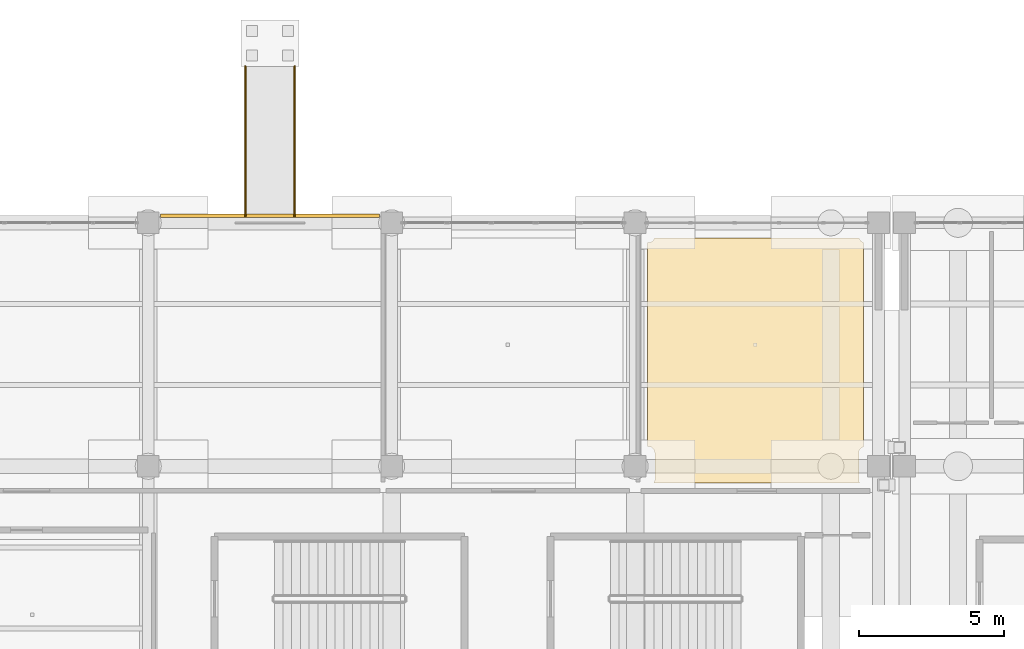
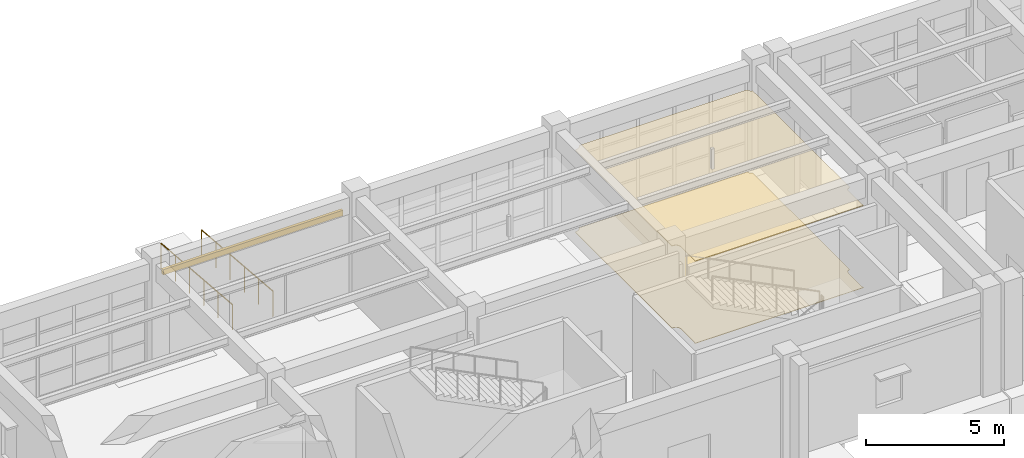
# One storey, part 25 of 29: 3 coverings, 2 railings.
"""IFC4 building model written with IfcOpenShell, lengths in metres."""

from ifc_helpers import new_model, si_unit, direction, frame, origin, origin_2d, place, context, subcontext, project, spatial, polyline, rectangle, circle, outline, extrude, material, layer, layer_set, type_object, element, save


model = new_model("IFC4")

# Units and contexts
model_context = context("Model", 3, precision=1e-05, world=origin(), true_north=direction((0.0, 1.0)))
body_context = subcontext(model_context, "Body", "Model", "MODEL_VIEW")
ifc_project = project(units=[si_unit("LENGTHUNIT", "METRE"), si_unit("AREAUNIT", "SQUARE_METRE"), si_unit("VOLUMEUNIT", "CUBIC_METRE"), si_unit("PLANEANGLEUNIT", "RADIAN"), si_unit("MASSUNIT", "GRAM", prefix="KILO")], contexts=[model_context])

# Site, building, storey
site_placement = place(None, origin())
site = spatial("IfcSite", under=ifc_project, at=site_placement, CompositionType="ELEMENT")
building_placement = place(site_placement, origin())
building = spatial("IfcBuilding", under=site, at=building_placement, Name="Canglan Escarpment Cableway Terminal", CompositionType="ELEMENT")
storey_placement = place(building_placement, origin())
storey = spatial("IfcBuildingStorey", under=building, at=storey_placement, Name="L00", CompositionType="ELEMENT", Elevation=0.0)

# Coverings
ifc_material_1 = material(Name="Moisture-resistant acoustic gypsum ceiling", Category="gypsum")
ifc_layer_1 = layer(ifc_material_1, 0.030029296875, Name="Moisture-resistant acoustic gypsum ceiling")
ifc_layer_set_1 = layer_set([ifc_layer_1], Name="Moisture-resistant acoustic gypsum ceiling")
covering_type_1 = type_object("IfcCoveringType", Name="COV-CEIL-GYPSUM-30", PredefinedType="CEILING", material=ifc_layer_set_1)
covering_1_placement = place(storey_placement, frame((0.0, 0.0, 3.639892578125)))
element("IfcCovering", 1, at=covering_1_placement, inside=storey, type_object=covering_type_1, Name="Mountain Rescue Clinic suspended acoustic ceiling", PredefinedType="CEILING", context=body_context, shape_type="SweptSolid", body=[
    extrude(outline(polyline([(33.8779296875, 15.820068359375), (33.8759765625, 15.820068359375), (33.873779296875, 15.8203125), (33.8720703125, 15.82080078125), (33.8701171875, 15.821533203125), (33.868408203125, 15.822509765625), (33.866455078125, 15.823486328125), (33.864990234375, 15.82470703125), (33.863525390625, 15.826171875), (33.8623046875, 15.82763671875), (33.861083984375, 15.829345703125), (33.860107421875, 15.8310546875), (33.859130859375, 15.8330078125), (33.858642578125, 15.834716796875), (33.858154296875, 15.8369140625), (33.85791015625, 15.8388671875), (33.85791015625, 15.8408203125), (33.858154296875, 15.8427734375), (33.8583984375, 15.8447265625), (33.859130859375, 15.8466796875), (33.85986328125, 15.8486328125), (33.863037109375, 15.85546875), (33.86328125, 15.856201171875), (33.870361328125, 15.875732421875), (33.87060546875, 15.876708984375), (33.875732421875, 15.896484375), (33.875732421875, 15.897705078125), (33.87890625, 15.91796875), (33.87890625, 15.9189453125), (33.8798828125, 15.939697265625), (33.8798828125, 15.940185546875), (33.8798828125, 16.85986328125), (33.8798828125, 16.860107421875), (33.87890625, 16.881103515625), (33.87890625, 16.882080078125), (33.875732421875, 16.90234375), (33.875732421875, 16.9033203125), (33.87060546875, 16.92333984375), (33.870361328125, 16.92431640625), (33.86328125, 16.943603515625), (33.863037109375, 16.944580078125), (33.854248046875, 16.96337890625), (33.853759765625, 16.964111328125), (33.84326171875, 16.981689453125), (33.842529296875, 16.982666015625), (33.830322265625, 16.999267578125), (33.82958984375, 17.0), (33.81591796875, 17.01513671875), (33.815185546875, 17.015869140625), (33.7998046875, 17.02978515625), (33.79931640625, 17.030517578125), (33.78271484375, 17.04248046875), (33.78173828125, 17.043212890625), (33.76416015625, 17.0537109375), (33.76318359375, 17.05419921875), (33.74462890625, 17.06298828125), (33.74365234375, 17.0634765625), (33.724365234375, 17.0703125), (33.723388671875, 17.070556640625), (33.703369140625, 17.07568359375), (33.702392578125, 17.07568359375), (33.681884765625, 17.078857421875), (33.68115234375, 17.0791015625), (33.66015625, 17.080078125), (33.659912109375, 17.080078125), (33.639892578125, 17.080078125), (33.637939453125, 17.080078125), (33.635986328125, 17.080322265625), (33.63427734375, 17.080810546875), (33.63232421875, 17.08154296875), (33.630615234375, 17.08251953125), (33.62890625, 17.08349609375), (33.627197265625, 17.08447265625), (33.6259765625, 17.0859375), (33.62451171875, 17.08740234375), (33.623291015625, 17.0888671875), (33.622314453125, 17.090576171875), (33.62158203125, 17.09228515625), (33.620849609375, 17.09423828125), (33.620361328125, 17.09619140625), (33.6201171875, 17.097900390625), (33.6201171875, 17.10009765625), (33.6201171875, 24.10009765625), (33.6201171875, 24.10205078125), (33.620361328125, 24.10400390625), (33.620849609375, 24.105712890625), (33.62158203125, 24.107666015625), (33.622314453125, 24.109375), (33.623291015625, 24.111083984375), (33.62451171875, 24.11279296875), (33.6259765625, 24.114013671875), (33.627197265625, 24.115478515625), (33.62890625, 24.11669921875), (33.630615234375, 24.11767578125), (33.63232421875, 24.118408203125), (33.63427734375, 24.119140625), (33.635986328125, 24.11962890625), (33.637939453125, 24.119873046875), (33.639892578125, 24.1201171875), (33.659912109375, 24.1201171875), (33.66015625, 24.1201171875), (33.68115234375, 24.12109375), (33.681884765625, 24.12109375), (33.702392578125, 24.124267578125), (33.703369140625, 24.124267578125), (33.723388671875, 24.12939453125), (33.724365234375, 24.129638671875), (33.74365234375, 24.13671875), (33.74462890625, 24.136962890625), (33.76318359375, 24.145751953125), (33.76416015625, 24.146240234375), (33.78173828125, 24.15673828125), (33.78271484375, 24.157470703125), (33.79931640625, 24.169677734375), (33.7998046875, 24.17041015625), (33.815185546875, 24.18408203125), (33.81591796875, 24.184814453125), (33.82958984375, 24.2001953125), (33.830322265625, 24.20068359375), (33.842529296875, 24.21728515625), (33.84326171875, 24.21826171875), (33.853759765625, 24.23583984375), (33.854248046875, 24.23681640625), (33.863037109375, 24.25537109375), (33.86328125, 24.25634765625), (33.8671875, 24.2666015625), (33.867919921875, 24.2685546875), (33.868896484375, 24.2705078125), (33.8701171875, 24.272216796875), (33.871337890625, 24.273681640625), (33.872802734375, 24.275146484375), (33.87451171875, 24.2763671875), (33.876220703125, 24.27734375), (33.8779296875, 24.2783203125), (33.8798828125, 24.279052734375), (33.8818359375, 24.279541015625), (33.884033203125, 24.27978515625), (33.885986328125, 24.280029296875), (40.9140625, 24.280029296875), (40.916015625, 24.27978515625), (40.918212890625, 24.279541015625), (40.919921875, 24.279052734375), (40.922119140625, 24.2783203125), (40.923828125, 24.27734375), (40.925537109375, 24.2763671875), (40.927001953125, 24.275146484375), (40.9287109375, 24.273681640625), (40.929931640625, 24.272216796875), (40.93115234375, 24.2705078125), (40.93212890625, 24.2685546875), (40.932861328125, 24.2666015625), (40.9365234375, 24.25634765625), (40.93701171875, 24.25537109375), (40.94580078125, 24.23681640625), (40.9462890625, 24.23583984375), (40.956787109375, 24.21826171875), (40.95751953125, 24.21728515625), (40.969482421875, 24.20068359375), (40.97021484375, 24.2001953125), (40.984130859375, 24.184814453125), (40.98486328125, 24.18408203125), (41.0, 24.17041015625), (41.000732421875, 24.169677734375), (41.017333984375, 24.157470703125), (41.018310546875, 24.15673828125), (41.035888671875, 24.146240234375), (41.03662109375, 24.145751953125), (41.055419921875, 24.136962890625), (41.056396484375, 24.13671875), (41.066650390625, 24.1328125), (41.068603515625, 24.132080078125), (41.0703125, 24.131103515625), (41.07177734375, 24.130126953125), (41.0732421875, 24.12890625), (41.07470703125, 24.127685546875), (41.07568359375, 24.126220703125), (41.076904296875, 24.124755859375), (41.077880859375, 24.123046875), (41.07861328125, 24.121337890625), (41.0791015625, 24.11962890625), (41.07958984375, 24.117919921875), (41.079833984375, 24.115966796875), (41.080078125, 24.114013671875), (41.080078125, 17.0859375), (41.079833984375, 17.083984375), (41.07958984375, 17.082275390625), (41.0791015625, 17.080322265625), (41.07861328125, 17.07861328125), (41.077880859375, 17.076904296875), (41.076904296875, 17.0751953125), (41.07568359375, 17.07373046875), (41.07470703125, 17.072265625), (41.0732421875, 17.071044921875), (41.07177734375, 17.06982421875), (41.0703125, 17.06884765625), (41.068603515625, 17.06787109375), (41.066650390625, 17.067138671875), (41.056396484375, 17.0634765625), (41.055419921875, 17.06298828125), (41.03662109375, 17.05419921875), (41.035888671875, 17.0537109375), (41.018310546875, 17.043212890625), (41.017333984375, 17.04248046875), (41.000732421875, 17.030517578125), (41.0, 17.02978515625), (40.98486328125, 17.015869140625), (40.984130859375, 17.01513671875), (40.97021484375, 17.0), (40.969482421875, 16.999267578125), (40.95751953125, 16.982666015625), (40.956787109375, 16.981689453125), (40.9462890625, 16.964111328125), (40.94580078125, 16.96337890625), (40.93701171875, 16.944580078125), (40.9365234375, 16.943603515625), (40.9296875, 16.92431640625), (40.929443359375, 16.92333984375), (40.92431640625, 16.9033203125), (40.92431640625, 16.90234375), (40.921142578125, 16.882080078125), (40.9208984375, 16.881103515625), (40.919921875, 16.860107421875), (40.919921875, 16.85986328125), (40.919921875, 15.940185546875), (40.919921875, 15.939697265625), (40.9208984375, 15.9189453125), (40.921142578125, 15.91796875), (40.92431640625, 15.897705078125), (40.92431640625, 15.896484375), (40.929443359375, 15.876708984375), (40.9296875, 15.875732421875), (40.9365234375, 15.856201171875), (40.93701171875, 15.85546875), (40.940185546875, 15.8486328125), (40.94091796875, 15.8466796875), (40.94140625, 15.8447265625), (40.94189453125, 15.8427734375), (40.942138671875, 15.8408203125), (40.942138671875, 15.8388671875), (40.94189453125, 15.8369140625), (40.94140625, 15.834716796875), (40.94091796875, 15.8330078125), (40.93994140625, 15.8310546875), (40.93896484375, 15.829345703125), (40.937744140625, 15.82763671875), (40.9365234375, 15.826171875), (40.93505859375, 15.82470703125), (40.93359375, 15.823486328125), (40.931640625, 15.822509765625), (40.929931640625, 15.821533203125), (40.927978515625, 15.82080078125), (40.926025390625, 15.8203125), (40.924072265625, 15.820068359375), (40.922119140625, 15.820068359375), (33.8779296875, 15.820068359375)])), origin(), (0.0, 0.0, 1.0), 0.030029296875),
])
ifc_material_2 = material(Name="Carved classical limestone cornice", Category="masonry")
ifc_layer_2 = layer(ifc_material_2, 0.1201171875, Name="Carved classical limestone cornice")
ifc_layer_set_2 = layer_set([ifc_layer_2], Name="Carved classical limestone cornice")
covering_type_2 = type_object("IfcCoveringType", Name="COV-CORNICE-STONE", PredefinedType="CLADDING", material=ifc_layer_set_2)
covering_2_placement = place(storey_placement, frame((20.60009765625, 25.0400390625, 3.455078125), z_axis=(0.0, 0.0, 1.0), x_axis=(-1.0, 0.0, 0.0)))
element("IfcCovering", 2, at=covering_2_placement, inside=storey, type_object=covering_type_2, Name="Classical carved limestone cornice CL-01", PredefinedType="CLADDING", context=body_context, shape_type="SweptSolid", body=[
    extrude(rectangle(XDim=7.550048828125, YDim=0.1201171875, at=origin_2d()), origin(), (0.0, 0.0, 1.0), 0.239990234375),
])
ifc_material_3 = material(Name="Polished mineral terrazzo flooring", Category="concrete")
ifc_layer_3 = layer(ifc_material_3, 0.02001953125, Name="Polished mineral terrazzo flooring")
ifc_layer_set_3 = layer_set([ifc_layer_3], Name="Polished mineral terrazzo flooring")
covering_type_3 = type_object("IfcCoveringType", Name="COV-FLR-TERRAZZO-20", PredefinedType="FLOORING", material=ifc_layer_set_3)
covering_3_placement = place(storey_placement, origin())
element("IfcCovering", 3, at=covering_3_placement, inside=storey, type_object=covering_type_3, Name="Mountain Rescue Clinic stone floor finish", PredefinedType="FLOORING", context=body_context, shape_type="SweptSolid", body=[
    extrude(outline(polyline([(33.8779296875, 15.820068359375), (33.8759765625, 15.820068359375), (33.873779296875, 15.8203125), (33.8720703125, 15.82080078125), (33.8701171875, 15.821533203125), (33.868408203125, 15.822509765625), (33.866455078125, 15.823486328125), (33.864990234375, 15.82470703125), (33.863525390625, 15.826171875), (33.8623046875, 15.82763671875), (33.861083984375, 15.829345703125), (33.860107421875, 15.8310546875), (33.859130859375, 15.8330078125), (33.858642578125, 15.834716796875), (33.858154296875, 15.8369140625), (33.85791015625, 15.8388671875), (33.85791015625, 15.8408203125), (33.858154296875, 15.8427734375), (33.8583984375, 15.8447265625), (33.859130859375, 15.8466796875), (33.85986328125, 15.8486328125), (33.863037109375, 15.85546875), (33.86328125, 15.856201171875), (33.870361328125, 15.875732421875), (33.87060546875, 15.876708984375), (33.875732421875, 15.896484375), (33.875732421875, 15.897705078125), (33.87890625, 15.91796875), (33.87890625, 15.9189453125), (33.8798828125, 15.939697265625), (33.8798828125, 15.940185546875), (33.8798828125, 16.85986328125), (33.8798828125, 16.860107421875), (33.87890625, 16.881103515625), (33.87890625, 16.882080078125), (33.875732421875, 16.90234375), (33.875732421875, 16.9033203125), (33.87060546875, 16.92333984375), (33.870361328125, 16.92431640625), (33.86328125, 16.943603515625), (33.863037109375, 16.944580078125), (33.854248046875, 16.96337890625), (33.853759765625, 16.964111328125), (33.84326171875, 16.981689453125), (33.842529296875, 16.982666015625), (33.830322265625, 16.999267578125), (33.82958984375, 17.0), (33.81591796875, 17.01513671875), (33.815185546875, 17.015869140625), (33.7998046875, 17.02978515625), (33.79931640625, 17.030517578125), (33.78271484375, 17.04248046875), (33.78173828125, 17.043212890625), (33.76416015625, 17.0537109375), (33.76318359375, 17.05419921875), (33.74462890625, 17.06298828125), (33.74365234375, 17.0634765625), (33.724365234375, 17.0703125), (33.723388671875, 17.070556640625), (33.703369140625, 17.07568359375), (33.702392578125, 17.07568359375), (33.681884765625, 17.078857421875), (33.68115234375, 17.0791015625), (33.66015625, 17.080078125), (33.659912109375, 17.080078125), (33.639892578125, 17.080078125), (33.637939453125, 17.080078125), (33.635986328125, 17.080322265625), (33.63427734375, 17.080810546875), (33.63232421875, 17.08154296875), (33.630615234375, 17.08251953125), (33.62890625, 17.08349609375), (33.627197265625, 17.08447265625), (33.6259765625, 17.0859375), (33.62451171875, 17.08740234375), (33.623291015625, 17.0888671875), (33.622314453125, 17.090576171875), (33.62158203125, 17.09228515625), (33.620849609375, 17.09423828125), (33.620361328125, 17.09619140625), (33.6201171875, 17.097900390625), (33.6201171875, 17.10009765625), (33.6201171875, 24.10009765625), (33.6201171875, 24.10205078125), (33.620361328125, 24.10400390625), (33.620849609375, 24.105712890625), (33.62158203125, 24.107666015625), (33.622314453125, 24.109375), (33.623291015625, 24.111083984375), (33.62451171875, 24.11279296875), (33.6259765625, 24.114013671875), (33.627197265625, 24.115478515625), (33.62890625, 24.11669921875), (33.630615234375, 24.11767578125), (33.63232421875, 24.118408203125), (33.63427734375, 24.119140625), (33.635986328125, 24.11962890625), (33.637939453125, 24.119873046875), (33.639892578125, 24.1201171875), (33.659912109375, 24.1201171875), (33.66015625, 24.1201171875), (33.68115234375, 24.12109375), (33.681884765625, 24.12109375), (33.702392578125, 24.124267578125), (33.703369140625, 24.124267578125), (33.723388671875, 24.12939453125), (33.724365234375, 24.129638671875), (33.74365234375, 24.13671875), (33.74462890625, 24.136962890625), (33.76318359375, 24.145751953125), (33.76416015625, 24.146240234375), (33.78173828125, 24.15673828125), (33.78271484375, 24.157470703125), (33.79931640625, 24.169677734375), (33.7998046875, 24.17041015625), (33.815185546875, 24.18408203125), (33.81591796875, 24.184814453125), (33.82958984375, 24.2001953125), (33.830322265625, 24.20068359375), (33.842529296875, 24.21728515625), (33.84326171875, 24.21826171875), (33.853759765625, 24.23583984375), (33.854248046875, 24.23681640625), (33.863037109375, 24.25537109375), (33.86328125, 24.25634765625), (33.8671875, 24.2666015625), (33.867919921875, 24.2685546875), (33.868896484375, 24.2705078125), (33.8701171875, 24.272216796875), (33.871337890625, 24.273681640625), (33.872802734375, 24.275146484375), (33.87451171875, 24.2763671875), (33.876220703125, 24.27734375), (33.8779296875, 24.2783203125), (33.8798828125, 24.279052734375), (33.8818359375, 24.279541015625), (33.884033203125, 24.27978515625), (33.885986328125, 24.280029296875), (40.9140625, 24.280029296875), (40.916015625, 24.27978515625), (40.918212890625, 24.279541015625), (40.919921875, 24.279052734375), (40.922119140625, 24.2783203125), (40.923828125, 24.27734375), (40.925537109375, 24.2763671875), (40.927001953125, 24.275146484375), (40.9287109375, 24.273681640625), (40.929931640625, 24.272216796875), (40.93115234375, 24.2705078125), (40.93212890625, 24.2685546875), (40.932861328125, 24.2666015625), (40.9365234375, 24.25634765625), (40.93701171875, 24.25537109375), (40.94580078125, 24.23681640625), (40.9462890625, 24.23583984375), (40.956787109375, 24.21826171875), (40.95751953125, 24.21728515625), (40.969482421875, 24.20068359375), (40.97021484375, 24.2001953125), (40.984130859375, 24.184814453125), (40.98486328125, 24.18408203125), (41.0, 24.17041015625), (41.000732421875, 24.169677734375), (41.017333984375, 24.157470703125), (41.018310546875, 24.15673828125), (41.035888671875, 24.146240234375), (41.03662109375, 24.145751953125), (41.055419921875, 24.136962890625), (41.056396484375, 24.13671875), (41.066650390625, 24.1328125), (41.068603515625, 24.132080078125), (41.0703125, 24.131103515625), (41.07177734375, 24.130126953125), (41.0732421875, 24.12890625), (41.07470703125, 24.127685546875), (41.07568359375, 24.126220703125), (41.076904296875, 24.124755859375), (41.077880859375, 24.123046875), (41.07861328125, 24.121337890625), (41.0791015625, 24.11962890625), (41.07958984375, 24.117919921875), (41.079833984375, 24.115966796875), (41.080078125, 24.114013671875), (41.080078125, 17.0859375), (41.079833984375, 17.083984375), (41.07958984375, 17.082275390625), (41.0791015625, 17.080322265625), (41.07861328125, 17.07861328125), (41.077880859375, 17.076904296875), (41.076904296875, 17.0751953125), (41.07568359375, 17.07373046875), (41.07470703125, 17.072265625), (41.0732421875, 17.071044921875), (41.07177734375, 17.06982421875), (41.0703125, 17.06884765625), (41.068603515625, 17.06787109375), (41.066650390625, 17.067138671875), (41.056396484375, 17.0634765625), (41.055419921875, 17.06298828125), (41.03662109375, 17.05419921875), (41.035888671875, 17.0537109375), (41.018310546875, 17.043212890625), (41.017333984375, 17.04248046875), (41.000732421875, 17.030517578125), (41.0, 17.02978515625), (40.98486328125, 17.015869140625), (40.984130859375, 17.01513671875), (40.97021484375, 17.0), (40.969482421875, 16.999267578125), (40.95751953125, 16.982666015625), (40.956787109375, 16.981689453125), (40.9462890625, 16.964111328125), (40.94580078125, 16.96337890625), (40.93701171875, 16.944580078125), (40.9365234375, 16.943603515625), (40.9296875, 16.92431640625), (40.929443359375, 16.92333984375), (40.92431640625, 16.9033203125), (40.92431640625, 16.90234375), (40.921142578125, 16.882080078125), (40.9208984375, 16.881103515625), (40.919921875, 16.860107421875), (40.919921875, 16.85986328125), (40.919921875, 15.940185546875), (40.919921875, 15.939697265625), (40.9208984375, 15.9189453125), (40.921142578125, 15.91796875), (40.92431640625, 15.897705078125), (40.92431640625, 15.896484375), (40.929443359375, 15.876708984375), (40.9296875, 15.875732421875), (40.9365234375, 15.856201171875), (40.93701171875, 15.85546875), (40.940185546875, 15.8486328125), (40.94091796875, 15.8466796875), (40.94140625, 15.8447265625), (40.94189453125, 15.8427734375), (40.942138671875, 15.8408203125), (40.942138671875, 15.8388671875), (40.94189453125, 15.8369140625), (40.94140625, 15.834716796875), (40.94091796875, 15.8330078125), (40.93994140625, 15.8310546875), (40.93896484375, 15.829345703125), (40.937744140625, 15.82763671875), (40.9365234375, 15.826171875), (40.93505859375, 15.82470703125), (40.93359375, 15.823486328125), (40.931640625, 15.822509765625), (40.929931640625, 15.821533203125), (40.927978515625, 15.82080078125), (40.926025390625, 15.8203125), (40.924072265625, 15.820068359375), (40.922119140625, 15.820068359375), (33.8779296875, 15.820068359375)])), origin(), (0.0, 0.0, 1.0), 0.02001953125),
])

# Railings
ifc_material_4 = material(Name="Brushed stainless steel 316 handrail", Category="steel")
railing_type = type_object("IfcRailingType", Name="RL-EXT-HANDRAIL-1150", PredefinedType="HANDRAIL", material=ifc_material_4)
for number, where, name in (
    (4, (19.75, 30.199951171875, -0.449951171875), "Accessible Forecourt Entrance Ramp 1 guard-handrail 1"),
    (5, (21.449951171875, 30.199951171875, -0.449951171875), "Accessible Forecourt Entrance Ramp 1 guard-handrail 2"),
):
    element("IfcRailing", number, at=place(storey_placement, frame(where)), inside=storey, type_object=railing_type, Name=name, PredefinedType="HANDRAIL", context=body_context, shape_type="SweptSolid", body=[
        extrude(circle(Radius=0.02392578125, at=origin_2d()), frame((0.0, 0.0, 1.1259765625), z_axis=(0.0, -0.996584843777, 0.082575112191), x_axis=(1.0, 0.0, 0.0)), (0.0, 0.0, 1.0), 5.19775390625),
        extrude(circle(Radius=0.02099609375, at=origin_2d()), origin(), (0.0, 0.0, 1.0), 1.101806640625),
        extrude(circle(Radius=0.02099609375, at=origin_2d()), frame((0.0, -1.035888671875, 0.0859375)), (0.0, 0.0, 1.0), 1.101806640625),
        extrude(circle(Radius=0.02099609375, at=origin_2d()), frame((0.0, -2.072021484375, 0.171630859375)), (0.0, 0.0, 1.0), 1.101806640625),
        extrude(circle(Radius=0.02099609375, at=origin_2d()), frame((0.0, -3.10791015625, 0.257568359375)), (0.0, 0.0, 1.0), 1.101806640625),
        extrude(circle(Radius=0.02099609375, at=origin_2d()), frame((0.0, -4.14404296875, 0.34326171875)), (0.0, 0.0, 1.0), 1.101806640625),
        extrude(circle(Radius=0.02099609375, at=origin_2d()), frame((0.0, -5.179931640625, 0.42919921875)), (0.0, 0.0, 1.0), 1.101806640625),
    ])

save(model, "model.ifc")
